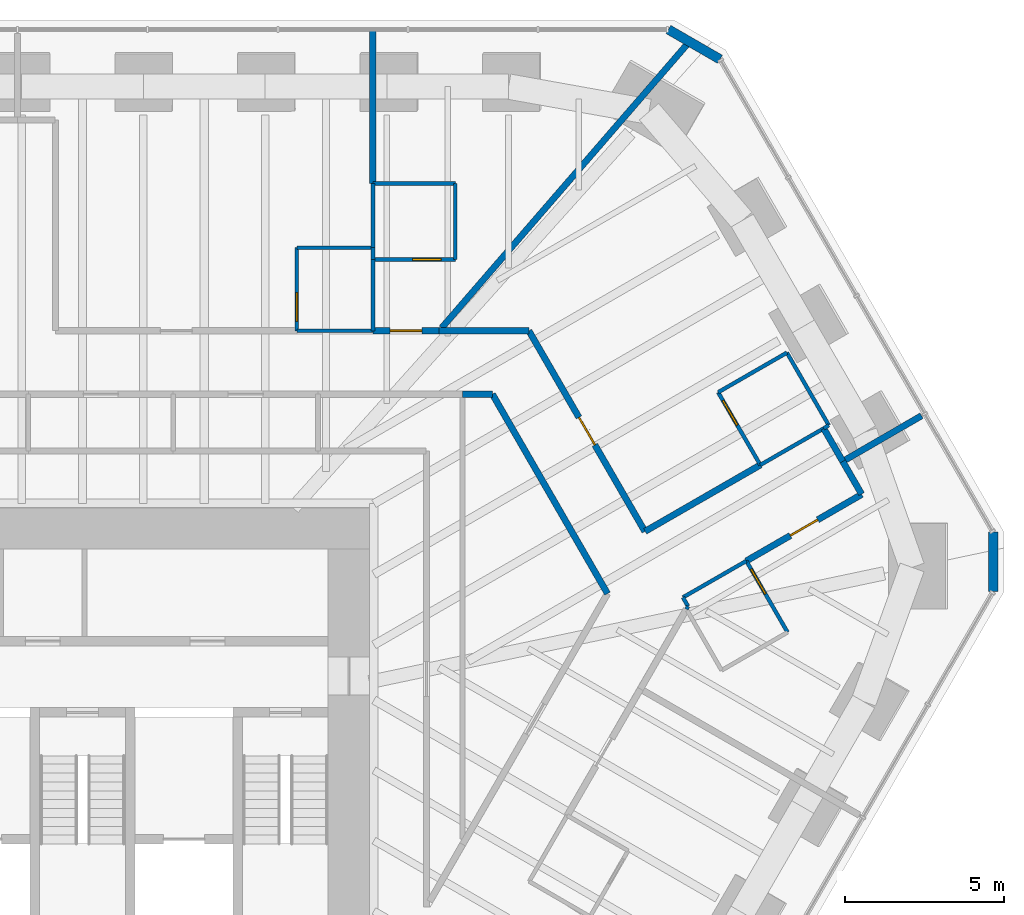
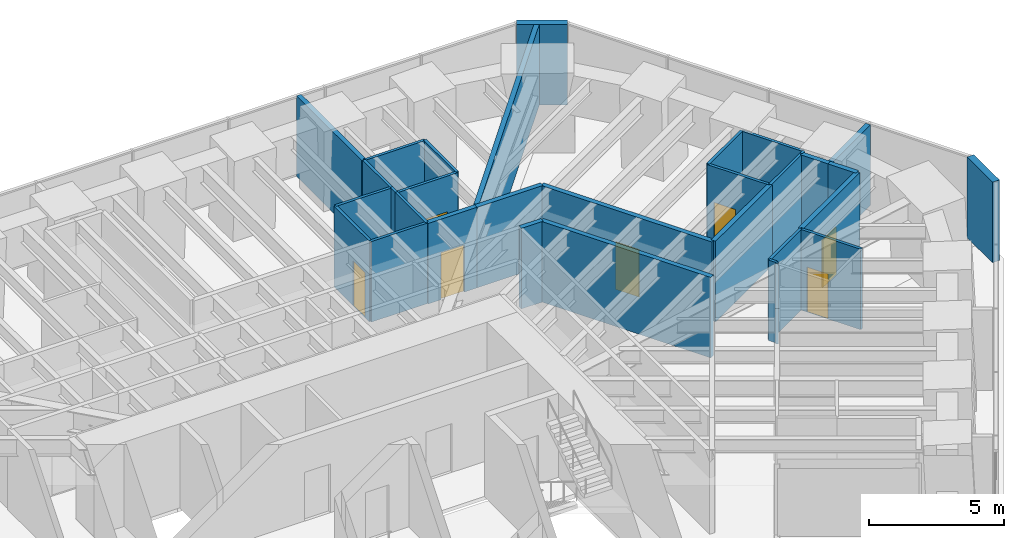
# One storey, part 16 of 18: 32 walls, 7 doors, 7 openings.
"""IFC4 building model written with IfcOpenShell, lengths in metres."""

from ifc_helpers import new_model, si_unit, direction, frame, frame_2d, origin, place, context, subcontext, project, spatial, rectangle, extrude, material, layer, layer_set, type_object, element, fill, save


model = new_model("IFC4")

# Units and contexts
model_context = context("Model", 3, precision=1e-05, world=origin(), true_north=direction((0.0, 1.0)))
body_context = subcontext(model_context, "Body", "Model", "MODEL_VIEW")
ifc_project = project(units=[si_unit("LENGTHUNIT", "METRE"), si_unit("AREAUNIT", "SQUARE_METRE"), si_unit("VOLUMEUNIT", "CUBIC_METRE"), si_unit("PLANEANGLEUNIT", "RADIAN"), si_unit("MASSUNIT", "GRAM", prefix="KILO")], contexts=[model_context])

# Site, building, storey
site_placement = place(None, origin())
site = spatial("IfcSite", under=ifc_project, at=site_placement, CompositionType="ELEMENT")
building_placement = place(site_placement, origin())
building = spatial("IfcBuilding", under=site, at=building_placement, Name="Sandreach Pilgrim Tower", CompositionType="ELEMENT")
storey_placement = place(building_placement, frame((0.0, 0.0, 157.60009765625)))
storey = spatial("IfcBuildingStorey", under=building, at=storey_placement, Name="L39", CompositionType="ELEMENT", Elevation=157.60009765625)

# Wall, opening, door
ifc_material_1 = material(Name="Moisture-resistant gypsum board on steel studs", Category="steel")
ifc_layer_1 = layer(ifc_material_1, 0.1201171875)
ifc_layer_set_1 = layer_set([ifc_layer_1], Name="Bathroom partition 120")
wall_type_1 = type_object("IfcWallType", Name="Bathroom partition 120", PredefinedType="PARTITIONING", material=ifc_layer_set_1)
wall_1_placement = place(storey_placement, frame((6.760009765625, 15.610107421875, 0.0), z_axis=(0.0, 0.0, 1.0), x_axis=(0.0, -1.0, 0.0)))
wall_1 = element("IfcWall", 1, at=wall_1_placement, inside=storey, type_object=wall_type_1, Name="Bathroom partition L39-095", PredefinedType="PARTITIONING", context=body_context, shape_type="SweptSolid", body=[
    extrude(rectangle(XDim=2.6201171875, YDim=0.1201171875, at=frame_2d((1.31005859375, 0.0))), origin(), (0.0, 0.0, 1.0), 3.639892578125),
])
opening_1_placement = place(wall_1_placement, frame((1.419921875, 0.0, 0.0)))
opening_1 = element("IfcOpeningElement", 2, at=opening_1_placement, cuts=wall_1, Name="Opening D09-03B", PredefinedType="OPENING", context=body_context, shape_type="SweptSolid", body=[
    extrude(rectangle(XDim=0.89990234375, YDim=2.030029296875, at=frame_2d((0.449951171875, 1.01513671875))), frame((0.0, 0.06005859375, 0.0), z_axis=(0.0, -1.0, 0.0), x_axis=(1.0, 0.0, 0.0)), (0.0, 0.0, 1.0), 0.1201171875),
])
ifc_material_2 = material(Name="Timber door, steel frame", Category="steel")
door_type_1 = type_object("IfcDoorType", Name="Bathroom door", OperationType="SINGLE_SWING_LEFT", PredefinedType="DOOR", material=ifc_material_2)
door_1_placement = place(opening_1_placement, origin())
door_1 = element("IfcDoor", 3, at=door_1_placement, inside=storey, type_object=door_type_1, Name="Door 3903B", OperationType="SINGLE_SWING_RIGHT", OverallHeight=2.030029296875, OverallWidth=0.89990234375, PredefinedType="DOOR", context=body_context, shape_type="SweptSolid", body=[
    extrude(rectangle(XDim=0.89990234375, YDim=2.030029296875, at=frame_2d((0.449951171875, 1.01513671875))), frame((0.0, 0.02490234375, 0.0), z_axis=(0.0, -1.0, 0.0), x_axis=(1.0, 0.0, 0.0)), (0.0, 0.0, 1.0), 0.050048828125),
])
fill(opening_1, door_1)

# Walls
wall_2_placement = place(storey_placement, frame((9.159912109375, 12.989990234375, 0.0), z_axis=(0.0, 0.0, 1.0), x_axis=(-1.0, 0.0, 0.0)))
element("IfcWall", 4, at=wall_2_placement, inside=storey, type_object=wall_type_1, Name="Bathroom partition L39-108", PredefinedType="PARTITIONING", context=body_context, shape_type="SweptSolid", body=[
    extrude(rectangle(XDim=2.39990234375, YDim=0.1201171875, at=frame_2d((1.199951171875, 0.0))), origin(), (0.0, 0.0, 1.0), 3.639892578125),
])
wall_3_placement = place(storey_placement, frame((9.159912109375, 15.239990234375, 0.0), z_axis=(0.0, 0.0, 1.0), x_axis=(0.0, -1.0, 0.0)))
element("IfcWall", 5, at=wall_3_placement, inside=storey, type_object=wall_type_1, Name="Bathroom partition L39-109", PredefinedType="PARTITIONING", context=body_context, shape_type="SweptSolid", body=[
    extrude(rectangle(XDim=2.25, YDim=0.1201171875, at=frame_2d((1.125, 0.0))), origin(), (0.0, 0.0, 1.0), 3.639892578125),
])

# Wall, opening, door
wall_4_placement = place(storey_placement, frame((9.159912109375, 15.239990234375, 0.0), z_axis=(0.0, 0.0, 1.0), x_axis=(1.0, 0.0, 0.0)))
wall_4 = element("IfcWall", 6, at=wall_4_placement, inside=storey, type_object=wall_type_1, Name="Bathroom partition L39-110", PredefinedType="PARTITIONING", context=body_context, shape_type="SweptSolid", body=[
    extrude(rectangle(XDim=2.60009765625, YDim=0.1201171875, at=frame_2d((1.300048828125, 0.0))), origin(), (0.0, 0.0, 1.0), 3.639892578125),
])
opening_2_placement = place(wall_4_placement, frame((1.25, 0.0, 0.0)))
opening_2 = element("IfcOpeningElement", 7, at=opening_2_placement, cuts=wall_4, Name="Opening D09-04B", PredefinedType="OPENING", context=body_context, shape_type="SweptSolid", body=[
    extrude(rectangle(XDim=0.89990234375, YDim=2.030029296875, at=frame_2d((0.449951171875, 1.01513671875))), frame((0.0, 0.06005859375, 0.0), z_axis=(0.0, -1.0, 0.0), x_axis=(1.0, 0.0, 0.0)), (0.0, 0.0, 1.0), 0.1201171875),
])
door_2_placement = place(opening_2_placement, origin())
door_2 = element("IfcDoor", 8, at=door_2_placement, inside=storey, type_object=door_type_1, Name="Door 3904B", OperationType="SINGLE_SWING_RIGHT", OverallHeight=2.030029296875, OverallWidth=0.89990234375, PredefinedType="DOOR", context=body_context, shape_type="SweptSolid", body=[
    extrude(rectangle(XDim=0.89990234375, YDim=2.030029296875, at=frame_2d((0.449951171875, 1.01513671875))), frame((0.0, 0.02490234375, 0.0), z_axis=(0.0, -1.0, 0.0), x_axis=(1.0, 0.0, 0.0)), (0.0, 0.0, 1.0), 0.050048828125),
])
fill(opening_2, door_2)

# Walls
wall_5_placement = place(storey_placement, frame((9.159912109375, 15.610107421875, 0.0), z_axis=(0.0, 0.0, 1.0), x_axis=(-1.0, 0.0, 0.0)))
element("IfcWall", 9, at=wall_5_placement, inside=storey, type_object=wall_type_1, Name="Bathroom partition L39-111", PredefinedType="PARTITIONING", context=body_context, shape_type="SweptSolid", body=[
    extrude(rectangle(XDim=2.39990234375, YDim=0.1201171875, at=frame_2d((1.199951171875, 0.0))), origin(), (0.0, 0.0, 1.0), 3.639892578125),
])
wall_6_placement = place(storey_placement, frame((9.159912109375, 15.610107421875, 0.0), z_axis=(0.0, 0.0, 1.0), x_axis=(0.0, -1.0, 0.0)))
element("IfcWall", 10, at=wall_6_placement, inside=storey, type_object=wall_type_1, Name="Bathroom partition L39-112", PredefinedType="PARTITIONING", context=body_context, shape_type="SweptSolid", body=[
    extrude(rectangle(XDim=0.3701171875, YDim=0.1201171875, at=frame_2d((0.18505859375, 0.0))), origin(), (0.0, 0.0, 1.0), 3.639892578125),
])
wall_7_placement = place(storey_placement, frame((9.159912109375, 17.639892578125, 0.0), z_axis=(0.0, 0.0, 1.0), x_axis=(0.0, -1.0, 0.0)))
element("IfcWall", 11, at=wall_7_placement, inside=storey, type_object=wall_type_1, Name="Bathroom partition L39-113", PredefinedType="PARTITIONING", context=body_context, shape_type="SweptSolid", body=[
    extrude(rectangle(XDim=2.02978515625, YDim=0.1201171875, at=frame_2d((1.014892578125, 0.0))), origin(), (0.0, 0.0, 1.0), 3.639892578125),
])
wall_8_placement = place(storey_placement, frame((11.760009765625, 15.239990234375, 0.0), z_axis=(0.0, 0.0, 1.0), x_axis=(0.0, 1.0, 0.0)))
element("IfcWall", 12, at=wall_8_placement, inside=storey, type_object=wall_type_1, Name="Bathroom partition L39-124", PredefinedType="PARTITIONING", context=body_context, shape_type="SweptSolid", body=[
    extrude(rectangle(XDim=2.39990234375, YDim=0.1201171875, at=frame_2d((1.199951171875, 0.0))), origin(), (0.0, 0.0, 1.0), 3.639892578125),
])
wall_9_placement = place(storey_placement, frame((11.760009765625, 17.639892578125, 0.0), z_axis=(0.0, 0.0, 1.0), x_axis=(-1.0, 0.0, 0.0)))
element("IfcWall", 13, at=wall_9_placement, inside=storey, type_object=wall_type_1, Name="Bathroom partition L39-125", PredefinedType="PARTITIONING", context=body_context, shape_type="SweptSolid", body=[
    extrude(rectangle(XDim=2.60009765625, YDim=0.1201171875, at=frame_2d((1.300048828125, 0.0))), origin(), (0.0, 0.0, 1.0), 3.639892578125),
])
wall_10_placement = place(storey_placement, frame((18.93994140625, 4.580078125, 0.0), z_axis=(0.0, 0.0, 1.0), x_axis=(0.866924594573, 0.498439311577, 0.0)))
element("IfcWall", 14, at=wall_10_placement, inside=storey, type_object=wall_type_1, Name="Bathroom partition L39-144", PredefinedType="PARTITIONING", context=body_context, shape_type="SweptSolid", body=[
    extrude(rectangle(XDim=2.306884765625, YDim=0.1201171875, at=frame_2d((1.1533203125, 0.0))), origin(), (0.0, 0.0, 1.0), 3.639892578125),
])
wall_11_placement = place(storey_placement, frame((19.050048828125, 4.2099609375, 0.0), z_axis=(0.0, 0.0, 1.0), x_axis=(0.485642931179, 0.874157276122, 0.0)))
element("IfcWall", 15, at=wall_11_placement, inside=storey, type_object=wall_type_1, Name="Bathroom partition L39-145", PredefinedType="PARTITIONING", context=body_context, shape_type="SweptSolid", body=[
    extrude(rectangle(XDim=0.10302734375, YDim=0.1201171875, at=frame_2d((0.051513671875, 0.0))), origin(), (0.0, 0.0, 1.0), 3.639892578125),
])
wall_12_placement = place(storey_placement, frame((19.10009765625, 4.300048828125, 0.0), z_axis=(0.0, 0.0, 1.0), x_axis=(-0.496464912237, 0.868056790146, 0.0)))
element("IfcWall", 16, at=wall_12_placement, inside=storey, type_object=wall_type_1, Name="Bathroom partition L39-147", PredefinedType="PARTITIONING", context=body_context, shape_type="SweptSolid", body=[
    extrude(rectangle(XDim=0.322509765625, YDim=0.1201171875, at=frame_2d((0.1611328125, 0.0))), origin(), (0.0, 0.0, 1.0), 3.639892578125),
])

# Wall, opening, door
wall_13_placement = place(storey_placement, frame((20.050048828125, 11.050048828125, 0.0), z_axis=(0.0, 0.0, 1.0), x_axis=(0.502173326652, -0.864766991738, 0.0)))
wall_13 = element("IfcWall", 17, at=wall_13_placement, inside=storey, type_object=wall_type_1, Name="Bathroom partition L39-149", PredefinedType="PARTITIONING", context=body_context, shape_type="SweptSolid", body=[
    extrude(rectangle(XDim=2.648193359375, YDim=0.1201171875, at=frame_2d((1.32421875, 0.0))), origin(), (0.0, 0.0, 1.0), 3.639892578125),
])
opening_3_placement = place(wall_13_placement, frame((0.300048828125, 0.0, 0.0)))
opening_3 = element("IfcOpeningElement", 18, at=opening_3_placement, cuts=wall_13, Name="Opening D09-05B", PredefinedType="OPENING", context=body_context, shape_type="SweptSolid", body=[
    extrude(rectangle(XDim=0.89990234375, YDim=2.030029296875, at=frame_2d((0.449951171875, 1.01513671875))), frame((0.0, 0.06005859375, 0.0), z_axis=(0.0, -1.0, 0.0), x_axis=(1.0, 0.0, 0.0)), (0.0, 0.0, 1.0), 0.1201171875),
])
door_3_placement = place(opening_3_placement, origin())
door_3 = element("IfcDoor", 19, at=door_3_placement, inside=storey, type_object=door_type_1, Name="Door 3905B", OperationType="SINGLE_SWING_LEFT", OverallHeight=2.030029296875, OverallWidth=0.89990234375, PredefinedType="DOOR", context=body_context, shape_type="SweptSolid", body=[
    extrude(rectangle(XDim=0.89990234375, YDim=2.030029296875, at=frame_2d((0.449951171875, 1.01513671875))), frame((0.0, 0.02490234375, 0.0), z_axis=(0.0, -1.0, 0.0), x_axis=(1.0, 0.0, 0.0)), (0.0, 0.0, 1.0), 0.050048828125),
])
fill(opening_3, door_3)

# Walls
wall_14_placement = place(storey_placement, frame((21.381103515625, 8.758056640625, 0.0), z_axis=(0.0, 0.0, 1.0), x_axis=(0.866453241206, 0.499258230582, 0.0)))
element("IfcWall", 20, at=wall_14_placement, inside=storey, type_object=wall_type_1, Name="Bathroom partition L39-153", PredefinedType="PARTITIONING", context=body_context, shape_type="SweptSolid", body=[
    extrude(rectangle(XDim=2.30712890625, YDim=0.1201171875, at=frame_2d((1.153564453125, 0.0))), origin(), (0.0, 0.0, 1.0), 3.639892578125),
])
wall_15_placement = place(storey_placement, frame((22.219970703125, 12.300048828125, 0.0), z_axis=(0.0, 0.0, 1.0), x_axis=(-0.866510016372, -0.499159685399, 0.0)))
element("IfcWall", 21, at=wall_15_placement, inside=storey, type_object=wall_type_1, Name="Bathroom partition L39-154", PredefinedType="PARTITIONING", context=body_context, shape_type="SweptSolid", body=[
    extrude(rectangle(XDim=2.504150390625, YDim=0.1201171875, at=frame_2d((1.251953125, 0.0))), origin(), (0.0, 0.0, 1.0), 3.639892578125),
])

# Wall, opening, door
wall_16_placement = place(storey_placement, frame((22.239990234375, 3.47998046875, 0.0), z_axis=(0.0, 0.0, 1.0), x_axis=(-0.500291685314, 0.865856933682, 0.0)))
wall_16 = element("IfcWall", 22, at=wall_16_placement, inside=storey, type_object=wall_type_1, Name="Bathroom partition L39-155", PredefinedType="PARTITIONING", context=body_context, shape_type="SweptSolid", body=[
    extrude(rectangle(XDim=2.5986328125, YDim=0.1201171875, at=frame_2d((1.29931640625, 0.0))), origin(), (0.0, 0.0, 1.0), 3.639892578125),
])
opening_4_placement = place(wall_16_placement, frame((1.398681640625, 0.0, 0.0)))
opening_4 = element("IfcOpeningElement", 23, at=opening_4_placement, cuts=wall_16, Name="Opening D09-06B", PredefinedType="OPENING", context=body_context, shape_type="SweptSolid", body=[
    extrude(rectangle(XDim=0.89990234375, YDim=2.030029296875, at=frame_2d((0.449951171875, 1.01513671875))), frame((0.0, 0.06005859375, 0.0), z_axis=(0.0, -1.0, 0.0), x_axis=(1.0, 0.0, 0.0)), (0.0, 0.0, 1.0), 0.1201171875),
])
door_4_placement = place(opening_4_placement, origin())
door_4 = element("IfcDoor", 24, at=door_4_placement, inside=storey, type_object=door_type_1, Name="Door 3906B", OperationType="SINGLE_SWING_RIGHT", OverallHeight=2.030029296875, OverallWidth=0.89990234375, PredefinedType="DOOR", context=body_context, shape_type="SweptSolid", body=[
    extrude(rectangle(XDim=0.89990234375, YDim=2.030029296875, at=frame_2d((0.449951171875, 1.01513671875))), frame((0.0, 0.02490234375, 0.0), z_axis=(0.0, -1.0, 0.0), x_axis=(1.0, 0.0, 0.0)), (0.0, 0.0, 1.0), 0.050048828125),
])
fill(opening_4, door_4)

# Walls
wall_17_placement = place(storey_placement, frame((23.3798828125, 9.909912109375, 0.0), z_axis=(0.0, 0.0, 1.0), x_axis=(0.847998304005, 0.529998940003, 0.0)))
element("IfcWall", 25, at=wall_17_placement, inside=storey, type_object=wall_type_1, Name="Bathroom partition L39-156", PredefinedType="PARTITIONING", context=body_context, shape_type="SweptSolid", body=[
    extrude(rectangle(XDim=0.18896484375, YDim=0.1201171875, at=frame_2d((0.094482421875, 0.0))), origin(), (0.0, 0.0, 1.0), 3.639892578125),
])
wall_18_placement = place(storey_placement, frame((23.5400390625, 10.010009765625, 0.0), z_axis=(0.0, 0.0, 1.0), x_axis=(-0.499407914056, 0.866366975004, 0.0)))
element("IfcWall", 26, at=wall_18_placement, inside=storey, type_object=wall_type_1, Name="Bathroom partition L39-158", PredefinedType="PARTITIONING", context=body_context, shape_type="SweptSolid", body=[
    extrude(rectangle(XDim=2.643310546875, YDim=0.1201171875, at=frame_2d((1.32177734375, 0.0))), origin(), (0.0, 0.0, 1.0), 3.639892578125),
])

# Wall, opening, door
ifc_material_3 = material(Name="Gypsum board on steel studs, two layers each side", Category="steel")
ifc_layer_2 = layer(ifc_material_3, 0.199951171875)
ifc_layer_set_2 = layer_set([ifc_layer_2], Name="Corridor wall 200")
wall_type_2 = type_object("IfcWallType", Name="Corridor wall 200", PredefinedType="PARTITIONING", material=ifc_layer_set_2)
wall_19_placement = place(storey_placement, frame((11.25, 12.989990234375, 0.0), z_axis=(0.0, 0.0, 1.0), x_axis=(-1.0, 0.0, 0.0)))
wall_19 = element("IfcWall", 27, at=wall_19_placement, inside=storey, type_object=wall_type_2, Name="Corridor wall L39-122", PredefinedType="PARTITIONING", context=body_context, shape_type="SweptSolid", body=[
    extrude(rectangle(XDim=2.090087890625, YDim=0.199951171875, at=frame_2d((1.044921875, 0.0))), origin(), (0.0, 0.0, 1.0), 3.639892578125),
])
opening_5_placement = place(wall_19_placement, frame((0.544921875, 0.0, 0.0)))
opening_5 = element("IfcOpeningElement", 28, at=opening_5_placement, cuts=wall_19, Name="Opening D10-04", PredefinedType="OPENING", context=body_context, shape_type="SweptSolid", body=[
    extrude(rectangle(XDim=1.0, YDim=2.1298828125, at=frame_2d((0.5, 1.06494140625))), frame((0.0, 0.10009765625, 0.0), z_axis=(0.0, -1.0, 0.0), x_axis=(1.0, 0.0, 0.0)), (0.0, 0.0, 1.0), 0.199951171875),
])
ifc_material_4 = material(Name="Steel door and frame", Category="steel")
door_type_2 = type_object("IfcDoorType", Name="Guest room entry door", OperationType="SINGLE_SWING_LEFT", PredefinedType="DOOR", material=ifc_material_4)
door_5_placement = place(opening_5_placement, origin())
door_5 = element("IfcDoor", 29, at=door_5_placement, inside=storey, type_object=door_type_2, Name="Door 3904", OperationType="SINGLE_SWING_LEFT", OverallHeight=2.1298828125, OverallWidth=1.0, PredefinedType="DOOR", context=body_context, shape_type="SweptSolid", body=[
    extrude(rectangle(XDim=1.0, YDim=2.1298828125, at=frame_2d((0.5, 1.06494140625))), frame((0.0, 0.02490234375, 0.0), z_axis=(0.0, -1.0, 0.0), x_axis=(1.0, 0.0, 0.0)), (0.0, 0.0, 1.0), 0.050048828125),
])
fill(opening_5, door_5)

# Walls
wall_20_placement = place(storey_placement, frame((11.989990234375, 10.989990234375, 0.0), z_axis=(0.0, 0.0, 1.0), x_axis=(1.0, 0.0, 0.0)))
element("IfcWall", 30, at=wall_20_placement, inside=storey, type_object=wall_type_2, Name="Corridor wall L39-128", PredefinedType="PARTITIONING", context=body_context, shape_type="SweptSolid", body=[
    extrude(rectangle(XDim=0.93994140625, YDim=0.199951171875, at=frame_2d((0.469970703125, 0.0))), origin(), (0.0, 0.0, 1.0), 3.639892578125),
])
wall_21_placement = place(storey_placement, frame((12.929931640625, 10.989990234375, 0.0), z_axis=(0.0, 0.0, 1.0), x_axis=(0.4998524389, -0.866110581465, 0.0)))
element("IfcWall", 31, at=wall_21_placement, inside=storey, type_object=wall_type_2, Name="Corridor wall L39-130", PredefinedType="PARTITIONING", context=body_context, shape_type="SweptSolid", body=[
    extrude(rectangle(XDim=7.262451171875, YDim=0.199951171875, at=frame_2d((3.63134765625, 0.0))), origin(), (0.0, 0.0, 1.0), 3.639892578125),
])
wall_22_placement = place(storey_placement, frame((14.080078125, 12.989990234375, 0.0), z_axis=(0.0, 0.0, 1.0), x_axis=(-1.0, 0.0, 0.0)))
element("IfcWall", 32, at=wall_22_placement, inside=storey, type_object=wall_type_2, Name="Corridor wall L39-131", PredefinedType="PARTITIONING", context=body_context, shape_type="SweptSolid", body=[
    extrude(rectangle(XDim=2.830078125, YDim=0.199951171875, at=frame_2d((1.4150390625, 0.0))), origin(), (0.0, 0.0, 1.0), 3.639892578125),
])

# Wall, opening, door
wall_23_placement = place(storey_placement, frame((17.739990234375, 6.659912109375, 0.0), z_axis=(0.0, 0.0, 1.0), x_axis=(-0.500537358343, 0.865714937438, 0.0)))
wall_23 = element("IfcWall", 33, at=wall_23_placement, inside=storey, type_object=wall_type_2, Name="Corridor wall L39-141", PredefinedType="PARTITIONING", context=body_context, shape_type="SweptSolid", body=[
    extrude(rectangle(XDim=7.31201171875, YDim=0.199951171875, at=frame_2d((3.656005859375, 0.0))), origin(), (0.0, 0.0, 1.0), 3.639892578125),
])
opening_6_placement = place(wall_23_placement, frame((3.156005859375, 0.0, 0.0)))
opening_6 = element("IfcOpeningElement", 34, at=opening_6_placement, cuts=wall_23, Name="Opening D10-05", PredefinedType="OPENING", context=body_context, shape_type="SweptSolid", body=[
    extrude(rectangle(XDim=1.0, YDim=2.1298828125, at=frame_2d((0.5, 1.06494140625))), frame((0.0, 0.10009765625, 0.0), z_axis=(0.0, -1.0, 0.0), x_axis=(1.0, 0.0, 0.0)), (0.0, 0.0, 1.0), 0.199951171875),
])
door_6_placement = place(opening_6_placement, origin())
door_6 = element("IfcDoor", 35, at=door_6_placement, inside=storey, type_object=door_type_2, Name="Door 3905", OperationType="SINGLE_SWING_LEFT", OverallHeight=2.1298828125, OverallWidth=1.0, PredefinedType="DOOR", context=body_context, shape_type="SweptSolid", body=[
    extrude(rectangle(XDim=1.0, YDim=2.1298828125, at=frame_2d((0.5, 1.06494140625))), frame((0.0, 0.02490234375, 0.0), z_axis=(0.0, -1.0, 0.0), x_axis=(1.0, 0.0, 0.0)), (0.0, 0.0, 1.0), 0.050048828125),
])
fill(opening_6, door_6)

# Wall
wall_24_placement = place(storey_placement, frame((17.748779296875, 6.6650390625, 0.0), z_axis=(0.0, 0.0, 1.0), x_axis=(0.866449179878, 0.499265278874, 0.0)))
element("IfcWall", 36, at=wall_24_placement, inside=storey, type_object=wall_type_2, Name="Corridor wall L39-142", PredefinedType="PARTITIONING", context=body_context, shape_type="SweptSolid", body=[
    extrude(rectangle(XDim=4.192138671875, YDim=0.199951171875, at=frame_2d((2.09619140625, 0.0))), origin(), (0.0, 0.0, 1.0), 3.639892578125),
])

# Wall, opening, door
wall_25_placement = place(storey_placement, frame((20.93994140625, 5.72998046875, 0.0), z_axis=(0.0, 0.0, 1.0), x_axis=(0.86618365172, 0.499725806311, 0.0)))
wall_25 = element("IfcWall", 37, at=wall_25_placement, inside=storey, type_object=wall_type_2, Name="Corridor wall L39-152", PredefinedType="PARTITIONING", context=body_context, shape_type="SweptSolid", body=[
    extrude(rectangle(XDim=4.202392578125, YDim=0.199951171875, at=frame_2d((2.10107421875, 0.0))), origin(), (0.0, 0.0, 1.0), 3.639892578125),
])
opening_7_placement = place(wall_25_placement, frame((1.60107421875, 0.0, 0.0)))
opening_7 = element("IfcOpeningElement", 38, at=opening_7_placement, cuts=wall_25, Name="Opening D10-06", PredefinedType="OPENING", context=body_context, shape_type="SweptSolid", body=[
    extrude(rectangle(XDim=1.0, YDim=2.1298828125, at=frame_2d((0.5, 1.06494140625))), frame((0.0, 0.10009765625, 0.0), z_axis=(0.0, -1.0, 0.0), x_axis=(1.0, 0.0, 0.0)), (0.0, 0.0, 1.0), 0.199951171875),
])
door_7_placement = place(opening_7_placement, origin())
door_7 = element("IfcDoor", 39, at=door_7_placement, inside=storey, type_object=door_type_2, Name="Door 3906", OperationType="SINGLE_SWING_LEFT", OverallHeight=2.1298828125, OverallWidth=1.0, PredefinedType="DOOR", context=body_context, shape_type="SweptSolid", body=[
    extrude(rectangle(XDim=1.0, YDim=2.1298828125, at=frame_2d((0.5, 1.06494140625))), frame((0.0, 0.02490234375, 0.0), z_axis=(0.0, -1.0, 0.0), x_axis=(1.0, 0.0, 0.0)), (0.0, 0.0, 1.0), 0.050048828125),
])
fill(opening_7, door_7)

# Walls
wall_26_placement = place(storey_placement, frame((23.3798828125, 9.909912109375, 0.0), z_axis=(0.0, 0.0, 1.0), x_axis=(0.499769390944, -0.866158505053, 0.0)))
element("IfcWall", 40, at=wall_26_placement, inside=storey, type_object=wall_type_2, Name="Corridor wall L39-157", PredefinedType="PARTITIONING", context=body_context, shape_type="SweptSolid", body=[
    extrude(rectangle(XDim=1.20068359375, YDim=0.199951171875, at=frame_2d((0.600341796875, 0.0))), origin(), (0.0, 0.0, 1.0), 3.639892578125),
])
wall_27_placement = place(storey_placement, frame((23.97998046875, 8.869873046875, 0.0), z_axis=(0.0, 0.0, 1.0), x_axis=(0.499734288277, -0.866178758179, 0.0)))
element("IfcWall", 41, at=wall_27_placement, inside=storey, type_object=wall_type_2, Name="Corridor wall L39-159", PredefinedType="PARTITIONING", context=body_context, shape_type="SweptSolid", body=[
    extrude(rectangle(XDim=1.190673828125, YDim=0.199951171875, at=frame_2d((0.59521484375, 0.0))), origin(), (0.0, 0.0, 1.0), 3.639892578125),
])
ifc_material_5 = material(Name="Double steel stud acoustic wall, gypsum board", Category="steel")
ifc_layer_3 = layer(ifc_material_5, 0.199951171875)
ifc_layer_set_3 = layer_set([ifc_layer_3], Name="Party wall 200")
wall_type_3 = type_object("IfcWallType", Name="Party wall 200", PredefinedType="PARTITIONING", material=ifc_layer_set_3)
wall_28_placement = place(storey_placement, frame((9.159912109375, 22.4599609375, 0.0), z_axis=(0.0, 0.0, 1.0), x_axis=(0.0, -1.0, 0.0)))
element("IfcWall", 42, at=wall_28_placement, inside=storey, type_object=wall_type_3, Name="Party wall L39-114", PredefinedType="PARTITIONING", context=body_context, shape_type="SweptSolid", body=[
    extrude(rectangle(XDim=4.820068359375, YDim=0.199951171875, at=frame_2d((2.41015625, 0.0))), origin(), (0.0, 0.0, 1.0), 3.639892578125),
])
wall_29_placement = place(storey_placement, frame((19.160400390625, 22.127197265625, 0.0), z_axis=(0.0, 0.0, 1.0), x_axis=(-0.654528846076, -0.756037029288, 0.0)))
element("IfcWall", 43, at=wall_29_placement, inside=storey, type_object=wall_type_3, Name="Party wall L39-148", PredefinedType="PARTITIONING", context=body_context, shape_type="SweptSolid", body=[
    extrude(rectangle(XDim=11.965576171875, YDim=0.199951171875, at=frame_2d((5.98291015625, 0.0))), origin(), (0.0, 0.0, 1.0), 3.639892578125),
])
wall_30_placement = place(storey_placement, frame((26.466064453125, 10.309814453125, 0.0), z_axis=(0.0, 0.0, 1.0), x_axis=(-0.865342444681, -0.501181058534, 0.0)))
element("IfcWall", 44, at=wall_30_placement, inside=storey, type_object=wall_type_3, Name="Party wall L39-161", PredefinedType="PARTITIONING", context=body_context, shape_type="SweptSolid", body=[
    extrude(rectangle(XDim=2.85791015625, YDim=0.199951171875, at=frame_2d((1.428955078125, 0.0))), origin(), (0.0, 0.0, 1.0), 3.639892578125),
])
ifc_material_6 = material(Name="Terracotta rainscreen on concrete", Category="masonry")
ifc_layer_4 = layer(ifc_material_6, 0.300048828125)
ifc_layer_set_4 = layer_set([ifc_layer_4], Name="Terracotta chamfer pier")
wall_type_4 = type_object("IfcWallType", Name="Terracotta chamfer pier", PredefinedType="SOLIDWALL", material=ifc_layer_set_4)
wall_31_placement = place(storey_placement, frame((18.4814453125, 22.493896484375, 0.0), z_axis=(0.0, 0.0, 1.0), x_axis=(0.865988793993, -0.500063404658, 0.0)))
element("IfcWall", 45, at=wall_31_placement, inside=storey, type_object=wall_type_4, Name="Chamfer pier L39 N", PredefinedType="SOLIDWALL", context=body_context, shape_type="SweptSolid", body=[
    extrude(rectangle(XDim=1.880126953125, YDim=0.300048828125, at=frame_2d((0.93994140625, 0.0))), origin(), (0.0, 0.0, 1.0), 3.639892578125),
])
wall_32_placement = place(storey_placement, frame((28.720947265625, 6.638427734375, 0.0), z_axis=(0.0, 0.0, 1.0), x_axis=(0.0, -1.0, 0.0)))
element("IfcWall", 46, at=wall_32_placement, inside=storey, type_object=wall_type_4, Name="Chamfer pier L39 NE", PredefinedType="SOLIDWALL", context=body_context, shape_type="SweptSolid", body=[
    extrude(rectangle(XDim=1.8798828125, YDim=0.300048828125, at=frame_2d((0.93994140625, 0.0))), origin(), (0.0, 0.0, 1.0), 3.639892578125),
])

save(model, "model.ifc")
